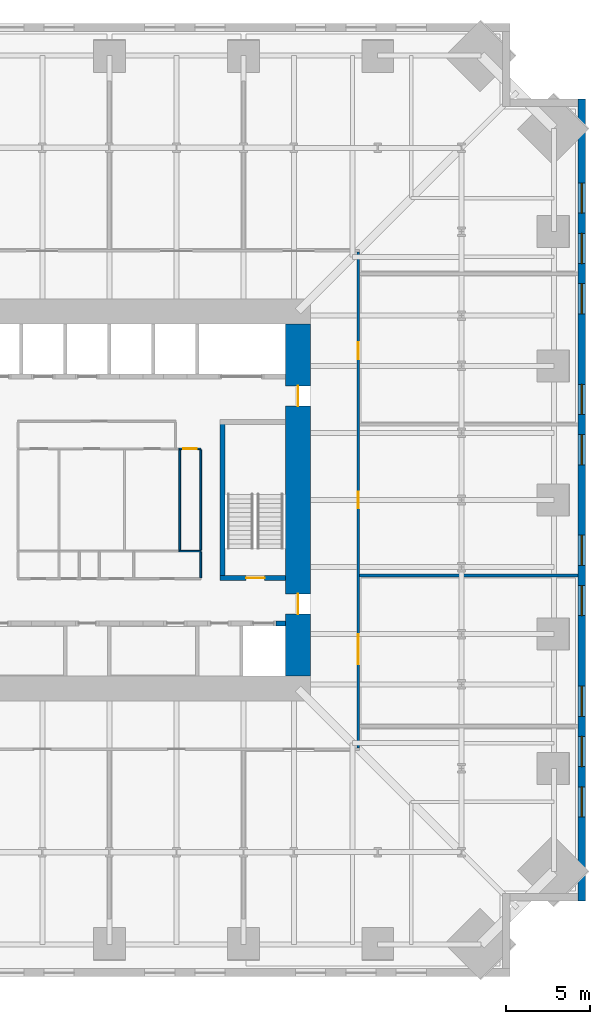
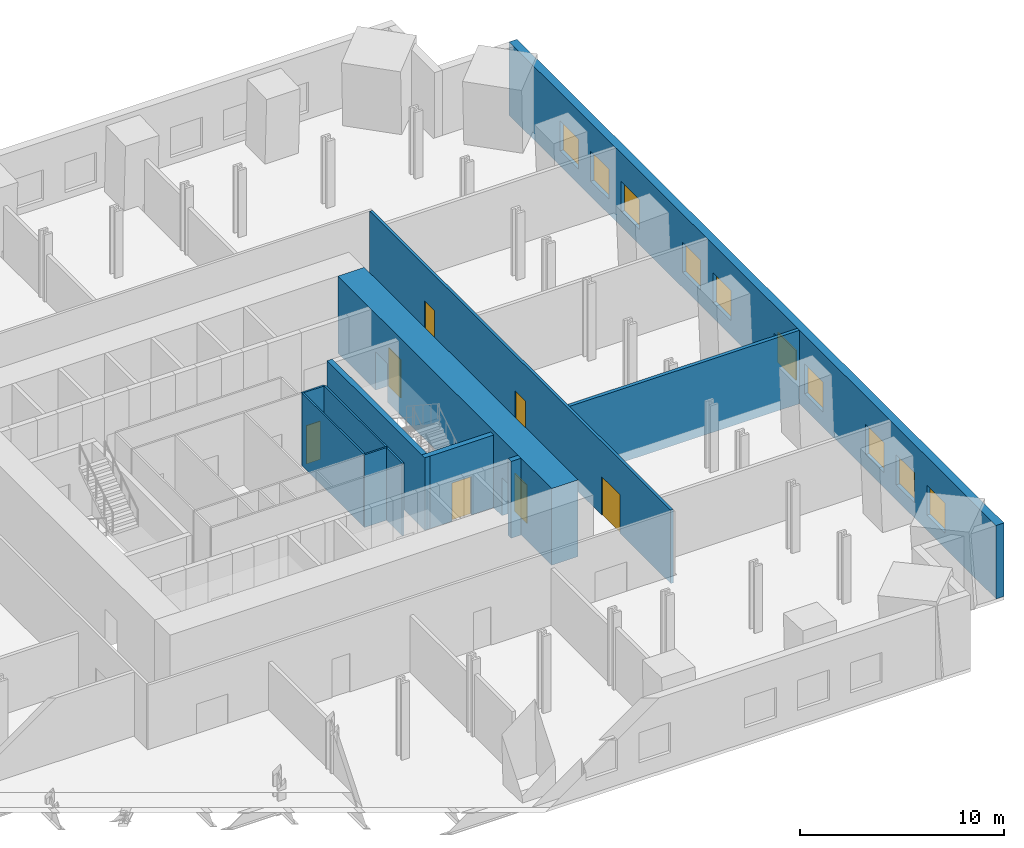
# One storey, part 5 of 8: 12 walls, 10 windows, 7 doors, 17 openings.
"""IFC4 building model written with IfcOpenShell, lengths in metres."""

from ifc_helpers import new_model, si_unit, direction, frame, frame_2d, origin, place, context, subcontext, project, spatial, rectangle, extrude, material, layer, layer_set, type_object, element, fill, save


model = new_model("IFC4")

# Units and contexts
model_context = context("Model", 3, precision=1e-05, world=origin(), true_north=direction((0.0, 1.0)))
body_context = subcontext(model_context, "Body", "Model", "MODEL_VIEW")
ifc_project = project(units=[si_unit("LENGTHUNIT", "METRE"), si_unit("AREAUNIT", "SQUARE_METRE"), si_unit("VOLUMEUNIT", "CUBIC_METRE"), si_unit("PLANEANGLEUNIT", "RADIAN"), si_unit("MASSUNIT", "GRAM", prefix="KILO")], contexts=[model_context])

# Site, building, storey
site_placement = place(None, origin())
site = spatial("IfcSite", under=ifc_project, at=site_placement, CompositionType="ELEMENT")
building_placement = place(site_placement, origin())
building = spatial("IfcBuilding", under=site, at=building_placement, Name="Peilmerk Tower", CompositionType="ELEMENT")
storey_placement = place(building_placement, frame((0.0, 0.0, 109.0)))
storey = spatial("IfcBuildingStorey", under=building, at=storey_placement, Name="L21", CompositionType="ELEMENT", Elevation=109.0)

# Wall, openings, windows
ifc_material_1 = material(Name="Precast concrete C45/55, board-marked finish", Category="concrete")
ifc_layer_1 = layer(ifc_material_1, 0.449951171875)
ifc_layer_set_1 = layer_set([ifc_layer_1], Name="Precast concrete C45/55, board-marked finish")
wall_type_1 = type_object("IfcWallType", Name="EW1 450 precast concrete facade wall, board-marked", PredefinedType="SOLIDWALL", material=ifc_layer_set_1)
wall_1_placement = place(storey_placement, frame((28.175048828125, -23.89990234375, 0.0), z_axis=(0.0, 0.0, 1.0), x_axis=(0.0, 1.0, 0.0)))
wall_1 = element("IfcWall", 1, at=wall_1_placement, inside=storey, type_object=wall_type_1, Name="Facade wall E L21", PredefinedType="SOLIDWALL", context=body_context, shape_type="SweptSolid", body=[
    extrude(rectangle(XDim=47.7998046875, YDim=0.449951171875, at=frame_2d((23.89990234375, 0.0))), origin(), (0.0, 0.0, 1.0), 4.39990234375),
])
opening_1_placement = place(wall_1_placement, frame((5.0, 0.0, 0.89990234375)))
opening_1 = element("IfcOpeningElement", 2, at=opening_1_placement, cuts=wall_1, Name="Opening W3", PredefinedType="OPENING", context=body_context, shape_type="SweptSolid", body=[
    extrude(rectangle(XDim=1.800048828125, YDim=1.800048828125, at=frame_2d((0.89990234375, 0.89990234375))), frame((0.0, 0.23486328125, 0.0), z_axis=(0.0, -1.0, 0.0), x_axis=(1.0, 0.0, 0.0)), (0.0, 0.0, 1.0), 0.469970703125),
])
opening_2_placement = place(wall_1_placement, frame((8.0, 0.0, 0.89990234375)))
opening_2 = element("IfcOpeningElement", 3, at=opening_2_placement, cuts=wall_1, Name="Opening W3", PredefinedType="OPENING", context=body_context, shape_type="SweptSolid", body=[
    extrude(rectangle(XDim=1.800048828125, YDim=1.800048828125, at=frame_2d((0.89990234375, 0.89990234375))), frame((0.0, 0.23486328125, 0.0), z_axis=(0.0, -1.0, 0.0), x_axis=(1.0, 0.0, 0.0)), (0.0, 0.0, 1.0), 0.469970703125),
])
opening_3_placement = place(wall_1_placement, frame((11.0, 0.0, 0.89990234375)))
opening_3 = element("IfcOpeningElement", 4, at=opening_3_placement, cuts=wall_1, Name="Opening W3", PredefinedType="OPENING", context=body_context, shape_type="SweptSolid", body=[
    extrude(rectangle(XDim=1.800048828125, YDim=1.800048828125, at=frame_2d((0.89990234375, 0.89990234375))), frame((0.0, 0.23486328125, 0.0), z_axis=(0.0, -1.0, 0.0), x_axis=(1.0, 0.0, 0.0)), (0.0, 0.0, 1.0), 0.469970703125),
])
opening_4_placement = place(wall_1_placement, frame((17.0, 0.0, 0.89990234375)))
opening_4 = element("IfcOpeningElement", 5, at=opening_4_placement, cuts=wall_1, Name="Opening W3", PredefinedType="OPENING", context=body_context, shape_type="SweptSolid", body=[
    extrude(rectangle(XDim=1.800048828125, YDim=1.800048828125, at=frame_2d((0.89990234375, 0.89990234375))), frame((0.0, 0.23486328125, 0.0), z_axis=(0.0, -1.0, 0.0), x_axis=(1.0, 0.0, 0.0)), (0.0, 0.0, 1.0), 0.469970703125),
])
opening_5_placement = place(wall_1_placement, frame((20.0, 0.0, 0.89990234375)))
opening_5 = element("IfcOpeningElement", 6, at=opening_5_placement, cuts=wall_1, Name="Opening W3", PredefinedType="OPENING", context=body_context, shape_type="SweptSolid", body=[
    extrude(rectangle(XDim=1.800048828125, YDim=1.800048828125, at=frame_2d((0.89990234375, 0.89990234375))), frame((0.0, 0.23486328125, 0.0), z_axis=(0.0, -1.0, 0.0), x_axis=(1.0, 0.0, 0.0)), (0.0, 0.0, 1.0), 0.469970703125),
])
opening_6_placement = place(wall_1_placement, frame((26.0, 0.0, 0.89990234375)))
opening_6 = element("IfcOpeningElement", 7, at=opening_6_placement, cuts=wall_1, Name="Opening W3", PredefinedType="OPENING", context=body_context, shape_type="SweptSolid", body=[
    extrude(rectangle(XDim=1.800048828125, YDim=1.800048828125, at=frame_2d((0.89990234375, 0.89990234375))), frame((0.0, 0.23486328125, 0.0), z_axis=(0.0, -1.0, 0.0), x_axis=(1.0, 0.0, 0.0)), (0.0, 0.0, 1.0), 0.469970703125),
])
opening_7_placement = place(wall_1_placement, frame((29.0, 0.0, 0.89990234375)))
opening_7 = element("IfcOpeningElement", 8, at=opening_7_placement, cuts=wall_1, Name="Opening W3", PredefinedType="OPENING", context=body_context, shape_type="SweptSolid", body=[
    extrude(rectangle(XDim=1.800048828125, YDim=1.800048828125, at=frame_2d((0.89990234375, 0.89990234375))), frame((0.0, 0.23486328125, 0.0), z_axis=(0.0, -1.0, 0.0), x_axis=(1.0, 0.0, 0.0)), (0.0, 0.0, 1.0), 0.469970703125),
])
opening_8_placement = place(wall_1_placement, frame((35.0, 0.0, 0.89990234375)))
opening_8 = element("IfcOpeningElement", 9, at=opening_8_placement, cuts=wall_1, Name="Opening W3", PredefinedType="OPENING", context=body_context, shape_type="SweptSolid", body=[
    extrude(rectangle(XDim=1.800048828125, YDim=1.800048828125, at=frame_2d((0.89990234375, 0.89990234375))), frame((0.0, 0.23486328125, 0.0), z_axis=(0.0, -1.0, 0.0), x_axis=(1.0, 0.0, 0.0)), (0.0, 0.0, 1.0), 0.469970703125),
])
opening_9_placement = place(wall_1_placement, frame((38.0, 0.0, 0.89990234375)))
opening_9 = element("IfcOpeningElement", 10, at=opening_9_placement, cuts=wall_1, Name="Opening W3", PredefinedType="OPENING", context=body_context, shape_type="SweptSolid", body=[
    extrude(rectangle(XDim=1.800048828125, YDim=1.800048828125, at=frame_2d((0.89990234375, 0.89990234375))), frame((0.0, 0.23486328125, 0.0), z_axis=(0.0, -1.0, 0.0), x_axis=(1.0, 0.0, 0.0)), (0.0, 0.0, 1.0), 0.469970703125),
])
opening_10_placement = place(wall_1_placement, frame((41.0, 0.0, 0.89990234375)))
opening_10 = element("IfcOpeningElement", 11, at=opening_10_placement, cuts=wall_1, Name="Opening W3", PredefinedType="OPENING", context=body_context, shape_type="SweptSolid", body=[
    extrude(rectangle(XDim=1.800048828125, YDim=1.800048828125, at=frame_2d((0.89990234375, 0.89990234375))), frame((0.0, 0.23486328125, 0.0), z_axis=(0.0, -1.0, 0.0), x_axis=(1.0, 0.0, 0.0)), (0.0, 0.0, 1.0), 0.469970703125),
])
ifc_material_2 = material(Name="Aluminium frame, clear double glazing", Category="aluminium")
window_type = type_object("IfcWindowType", Name="W3 1800x1800 telecom floor window", PartitioningType="SINGLE_PANEL", PredefinedType="WINDOW", material=ifc_material_2)
window_1_placement = place(opening_1_placement, origin())
window_1 = element("IfcWindow", 12, at=window_1_placement, inside=storey, type_object=window_type, Name="Window W3 L21", OverallHeight=1.800048828125, OverallWidth=1.800048828125, PartitioningType="SINGLE_PANEL", PredefinedType="WINDOW", context=body_context, shape_type="SweptSolid", body=[
    extrude(rectangle(XDim=1.800048828125, YDim=1.800048828125, at=frame_2d((0.89990234375, 0.89990234375))), frame((0.0, 0.030029296875, 0.0), z_axis=(0.0, -1.0, 0.0), x_axis=(1.0, 0.0, 0.0)), (0.0, 0.0, 1.0), 0.06005859375),
])
fill(opening_1, window_1)
window_2_placement = place(opening_2_placement, origin())
window_2 = element("IfcWindow", 13, at=window_2_placement, inside=storey, type_object=window_type, Name="Window W3 L21", OverallHeight=1.800048828125, OverallWidth=1.800048828125, PartitioningType="SINGLE_PANEL", PredefinedType="WINDOW", context=body_context, shape_type="SweptSolid", body=[
    extrude(rectangle(XDim=1.800048828125, YDim=1.800048828125, at=frame_2d((0.89990234375, 0.89990234375))), frame((0.0, 0.030029296875, 0.0), z_axis=(0.0, -1.0, 0.0), x_axis=(1.0, 0.0, 0.0)), (0.0, 0.0, 1.0), 0.06005859375),
])
fill(opening_2, window_2)
window_3_placement = place(opening_3_placement, origin())
window_3 = element("IfcWindow", 14, at=window_3_placement, inside=storey, type_object=window_type, Name="Window W3 L21", OverallHeight=1.800048828125, OverallWidth=1.800048828125, PartitioningType="SINGLE_PANEL", PredefinedType="WINDOW", context=body_context, shape_type="SweptSolid", body=[
    extrude(rectangle(XDim=1.800048828125, YDim=1.800048828125, at=frame_2d((0.89990234375, 0.89990234375))), frame((0.0, 0.030029296875, 0.0), z_axis=(0.0, -1.0, 0.0), x_axis=(1.0, 0.0, 0.0)), (0.0, 0.0, 1.0), 0.06005859375),
])
fill(opening_3, window_3)
window_4_placement = place(opening_4_placement, origin())
window_4 = element("IfcWindow", 15, at=window_4_placement, inside=storey, type_object=window_type, Name="Window W3 L21", OverallHeight=1.800048828125, OverallWidth=1.800048828125, PartitioningType="SINGLE_PANEL", PredefinedType="WINDOW", context=body_context, shape_type="SweptSolid", body=[
    extrude(rectangle(XDim=1.800048828125, YDim=1.800048828125, at=frame_2d((0.89990234375, 0.89990234375))), frame((0.0, 0.030029296875, 0.0), z_axis=(0.0, -1.0, 0.0), x_axis=(1.0, 0.0, 0.0)), (0.0, 0.0, 1.0), 0.06005859375),
])
fill(opening_4, window_4)
window_5_placement = place(opening_5_placement, origin())
window_5 = element("IfcWindow", 16, at=window_5_placement, inside=storey, type_object=window_type, Name="Window W3 L21", OverallHeight=1.800048828125, OverallWidth=1.800048828125, PartitioningType="SINGLE_PANEL", PredefinedType="WINDOW", context=body_context, shape_type="SweptSolid", body=[
    extrude(rectangle(XDim=1.800048828125, YDim=1.800048828125, at=frame_2d((0.89990234375, 0.89990234375))), frame((0.0, 0.030029296875, 0.0), z_axis=(0.0, -1.0, 0.0), x_axis=(1.0, 0.0, 0.0)), (0.0, 0.0, 1.0), 0.06005859375),
])
fill(opening_5, window_5)
window_6_placement = place(opening_6_placement, origin())
window_6 = element("IfcWindow", 17, at=window_6_placement, inside=storey, type_object=window_type, Name="Window W3 L21", OverallHeight=1.800048828125, OverallWidth=1.800048828125, PartitioningType="SINGLE_PANEL", PredefinedType="WINDOW", context=body_context, shape_type="SweptSolid", body=[
    extrude(rectangle(XDim=1.800048828125, YDim=1.800048828125, at=frame_2d((0.89990234375, 0.89990234375))), frame((0.0, 0.030029296875, 0.0), z_axis=(0.0, -1.0, 0.0), x_axis=(1.0, 0.0, 0.0)), (0.0, 0.0, 1.0), 0.06005859375),
])
fill(opening_6, window_6)
window_7_placement = place(opening_7_placement, origin())
window_7 = element("IfcWindow", 18, at=window_7_placement, inside=storey, type_object=window_type, Name="Window W3 L21", OverallHeight=1.800048828125, OverallWidth=1.800048828125, PartitioningType="SINGLE_PANEL", PredefinedType="WINDOW", context=body_context, shape_type="SweptSolid", body=[
    extrude(rectangle(XDim=1.800048828125, YDim=1.800048828125, at=frame_2d((0.89990234375, 0.89990234375))), frame((0.0, 0.030029296875, 0.0), z_axis=(0.0, -1.0, 0.0), x_axis=(1.0, 0.0, 0.0)), (0.0, 0.0, 1.0), 0.06005859375),
])
fill(opening_7, window_7)
window_8_placement = place(opening_8_placement, origin())
window_8 = element("IfcWindow", 19, at=window_8_placement, inside=storey, type_object=window_type, Name="Window W3 L21", OverallHeight=1.800048828125, OverallWidth=1.800048828125, PartitioningType="SINGLE_PANEL", PredefinedType="WINDOW", context=body_context, shape_type="SweptSolid", body=[
    extrude(rectangle(XDim=1.800048828125, YDim=1.800048828125, at=frame_2d((0.89990234375, 0.89990234375))), frame((0.0, 0.030029296875, 0.0), z_axis=(0.0, -1.0, 0.0), x_axis=(1.0, 0.0, 0.0)), (0.0, 0.0, 1.0), 0.06005859375),
])
fill(opening_8, window_8)
window_9_placement = place(opening_9_placement, origin())
window_9 = element("IfcWindow", 20, at=window_9_placement, inside=storey, type_object=window_type, Name="Window W3 L21", OverallHeight=1.800048828125, OverallWidth=1.800048828125, PartitioningType="SINGLE_PANEL", PredefinedType="WINDOW", context=body_context, shape_type="SweptSolid", body=[
    extrude(rectangle(XDim=1.800048828125, YDim=1.800048828125, at=frame_2d((0.89990234375, 0.89990234375))), frame((0.0, 0.030029296875, 0.0), z_axis=(0.0, -1.0, 0.0), x_axis=(1.0, 0.0, 0.0)), (0.0, 0.0, 1.0), 0.06005859375),
])
fill(opening_9, window_9)
window_10_placement = place(opening_10_placement, origin())
window_10 = element("IfcWindow", 21, at=window_10_placement, inside=storey, type_object=window_type, Name="Window W3 L21", OverallHeight=1.800048828125, OverallWidth=1.800048828125, PartitioningType="SINGLE_PANEL", PredefinedType="WINDOW", context=body_context, shape_type="SweptSolid", body=[
    extrude(rectangle(XDim=1.800048828125, YDim=1.800048828125, at=frame_2d((0.89990234375, 0.89990234375))), frame((0.0, 0.030029296875, 0.0), z_axis=(0.0, -1.0, 0.0), x_axis=(1.0, 0.0, 0.0)), (0.0, 0.0, 1.0), 0.06005859375),
])
fill(opening_10, window_10)

# Wall, openings, doors
ifc_material_3 = material(Name="Calcium silicate block", Category="masonry")
ifc_layer_2 = layer(ifc_material_3, 0.14990234375)
ifc_layer_set_2 = layer_set([ifc_layer_2], Name="Calcium silicate block")
wall_type_2 = type_object("IfcWallType", Name="IW1 150 corridor partition, EI 60", PredefinedType="PARTITIONING", material=ifc_layer_set_2)
wall_2_placement = place(storey_placement, frame((14.85009765625, -14.77490234375, 0.0), z_axis=(0.0, 0.0, 1.0), x_axis=(0.0, 1.0, 0.0)))
wall_2 = element("IfcWall", 22, at=wall_2_placement, inside=storey, type_object=wall_type_2, Name="Corridor wall E L21", PredefinedType="PARTITIONING", context=body_context, shape_type="SweptSolid", body=[
    extrude(rectangle(XDim=29.5498046875, YDim=0.14990234375, at=frame_2d((14.77490234375, 0.0))), origin(), (0.0, 0.0, 1.0), 4.39990234375),
])
opening_11_placement = place(wall_2_placement, frame((4.97509765625, 0.0, 0.0)))
opening_11 = element("IfcOpeningElement", 23, at=opening_11_placement, cuts=wall_2, Name="Opening D2", PredefinedType="OPENING", context=body_context, shape_type="SweptSolid", body=[
    extrude(rectangle(XDim=1.800048828125, YDim=2.300048828125, at=frame_2d((0.89990234375, 1.14990234375))), frame((0.0, 0.0849609375, 0.0), z_axis=(0.0, -1.0, 0.0), x_axis=(1.0, 0.0, 0.0)), (0.0, 0.0, 1.0), 0.169921875),
])
opening_12_placement = place(wall_2_placement, frame((14.27490234375, 0.0, 0.0)))
opening_12 = element("IfcOpeningElement", 24, at=opening_12_placement, cuts=wall_2, Name="Opening D1", PredefinedType="OPENING", context=body_context, shape_type="SweptSolid", body=[
    extrude(rectangle(XDim=1.0, YDim=2.300048828125, at=frame_2d((0.5, 1.14990234375))), frame((0.0, 0.0849609375, 0.0), z_axis=(0.0, -1.0, 0.0), x_axis=(1.0, 0.0, 0.0)), (0.0, 0.0, 1.0), 0.169921875),
])
opening_13_placement = place(wall_2_placement, frame((23.175048828125, 0.0, 0.0)))
opening_13 = element("IfcOpeningElement", 25, at=opening_13_placement, cuts=wall_2, Name="Opening D1", PredefinedType="OPENING", context=body_context, shape_type="SweptSolid", body=[
    extrude(rectangle(XDim=1.0, YDim=2.300048828125, at=frame_2d((0.5, 1.14990234375))), frame((0.0, 0.0849609375, 0.0), z_axis=(0.0, -1.0, 0.0), x_axis=(1.0, 0.0, 0.0)), (0.0, 0.0, 1.0), 0.169921875),
])
ifc_material_4 = material(Name="Timber door in steel frame", Category="steel")
door_type_1 = type_object("IfcDoorType", Name="D1 1000x2300 room door, EI2 30", OperationType="SINGLE_SWING_LEFT", PredefinedType="DOOR", material=ifc_material_4)
door_1_placement = place(opening_12_placement, frame((1.0, 0.0, 0.0), z_axis=(0.0, 0.0, 1.0), x_axis=(-1.0, 0.0, 0.0)))
door_1 = element("IfcDoor", 26, at=door_1_placement, inside=storey, type_object=door_type_1, Name="Door Splicing room L21", OperationType="SINGLE_SWING_LEFT", OverallHeight=2.300048828125, OverallWidth=1.0, PredefinedType="DOOR", context=body_context, shape_type="SweptSolid", body=[
    extrude(rectangle(XDim=1.0, YDim=2.300048828125, at=frame_2d((0.5, 1.14990234375))), frame((0.0, 0.02490234375, 0.0), z_axis=(0.0, -1.0, 0.0), x_axis=(1.0, 0.0, 0.0)), (0.0, 0.0, 1.0), 0.050048828125),
])
fill(opening_12, door_1)
door_2_placement = place(opening_13_placement, frame((1.0, 0.0, 0.0), z_axis=(0.0, 0.0, 1.0), x_axis=(-1.0, 0.0, 0.0)))
door_2 = element("IfcDoor", 27, at=door_2_placement, inside=storey, type_object=door_type_1, Name="Door Test room L21", OperationType="SINGLE_SWING_LEFT", OverallHeight=2.300048828125, OverallWidth=1.0, PredefinedType="DOOR", context=body_context, shape_type="SweptSolid", body=[
    extrude(rectangle(XDim=1.0, YDim=2.300048828125, at=frame_2d((0.5, 1.14990234375))), frame((0.0, 0.02490234375, 0.0), z_axis=(0.0, -1.0, 0.0), x_axis=(1.0, 0.0, 0.0)), (0.0, 0.0, 1.0), 0.050048828125),
])
fill(opening_13, door_2)
ifc_material_5 = material(Name="Steel door in steel frame", Category="steel")
door_type_2 = type_object("IfcDoorType", Name="D2 1800x2300 double door, EI2 60", OperationType="DOUBLE_DOOR_DOUBLE_SWING", PredefinedType="DOOR", material=ifc_material_5)
door_3_placement = place(opening_11_placement, frame((1.800048828125, 0.0, 0.0), z_axis=(0.0, 0.0, 1.0), x_axis=(-1.0, 0.0, 0.0)))
door_3 = element("IfcDoor", 28, at=door_3_placement, inside=storey, type_object=door_type_2, Name="Door Carrier room L21", OperationType="DOUBLE_DOOR_DOUBLE_SWING", OverallHeight=2.300048828125, OverallWidth=1.800048828125, PredefinedType="DOOR", context=body_context, shape_type="SweptSolid", body=[
    extrude(rectangle(XDim=1.800048828125, YDim=2.300048828125, at=frame_2d((0.89990234375, 1.14990234375))), frame((0.0, 0.02490234375, 0.0), z_axis=(0.0, -1.0, 0.0), x_axis=(1.0, 0.0, 0.0)), (0.0, 0.0, 1.0), 0.050048828125),
])
fill(opening_11, door_3)

# Walls
ifc_layer_3 = layer(ifc_material_3, 0.199951171875)
ifc_layer_set_3 = layer_set([ifc_layer_3], Name="Calcium silicate block")
wall_type_3 = type_object("IfcWallType", Name="IW2 200 room separating wall, EI 120", PredefinedType="PARTITIONING", material=ifc_layer_set_3)
wall_3_placement = place(storey_placement, frame((14.925048828125, -4.5, 0.0), z_axis=(0.0, 0.0, 1.0), x_axis=(1.0, 0.0, 0.0)))
element("IfcWall", 29, at=wall_3_placement, inside=storey, type_object=wall_type_3, Name="Room separating wall E1 L21", PredefinedType="PARTITIONING", context=body_context, shape_type="SweptSolid", body=[
    extrude(rectangle(XDim=13.02490234375, YDim=0.199951171875, at=frame_2d((6.512451171875, 0.0))), origin(), (0.0, 0.0, 1.0), 4.39990234375),
])
ifc_material_6 = material(Name="Concrete C35/45", Category="concrete")
ifc_layer_4 = layer(ifc_material_6, 0.300048828125)
ifc_layer_set_4 = layer_set([ifc_layer_4], Name="Concrete C35/45")
wall_type_4 = type_object("IfcWallType", Name="IW3 300 concrete stair enclosure wall, EI 120", PredefinedType="SOLIDWALL", material=ifc_layer_set_4)
wall_4_placement = place(storey_placement, frame((6.75, -4.800048828125, 0.0), z_axis=(0.0, 0.0, 1.0), x_axis=(0.0, 1.0, 0.0)))
element("IfcWall", 30, at=wall_4_placement, inside=storey, type_object=wall_type_4, Name="Stair 2 enclosure L21", PredefinedType="SOLIDWALL", context=body_context, shape_type="SweptSolid", body=[
    extrude(rectangle(XDim=9.60009765625, YDim=0.300048828125, at=frame_2d((4.800048828125, 0.0))), origin(), (0.0, 0.0, 1.0), 4.35009765625),
])

# Wall, opening, door
wall_5_placement = place(storey_placement, frame((10.5, -4.64990234375, 0.0), z_axis=(0.0, 0.0, 1.0), x_axis=(-1.0, 0.0, 0.0)))
wall_5 = element("IfcWall", 31, at=wall_5_placement, inside=storey, type_object=wall_type_4, Name="Stair 2 enclosure L21", PredefinedType="SOLIDWALL", context=body_context, shape_type="SweptSolid", body=[
    extrude(rectangle(XDim=3.89990234375, YDim=0.300048828125, at=frame_2d((1.949951171875, 0.0))), origin(), (0.0, 0.0, 1.0), 4.35009765625),
])
opening_14_placement = place(wall_5_placement, frame((1.25, 0.0, 0.0)))
opening_14 = element("IfcOpeningElement", 32, at=opening_14_placement, cuts=wall_5, Name="Opening D4", PredefinedType="OPENING", context=body_context, shape_type="SweptSolid", body=[
    extrude(rectangle(XDim=1.10009765625, YDim=2.300048828125, at=frame_2d((0.550048828125, 1.14990234375))), frame((0.0, 0.159912109375, 0.0), z_axis=(0.0, -1.0, 0.0), x_axis=(1.0, 0.0, 0.0)), (0.0, 0.0, 1.0), 0.320068359375),
])
door_type_3 = type_object("IfcDoorType", Name="D4 1100x2300 stair door, EI2 60", OperationType="SINGLE_SWING_RIGHT", PredefinedType="DOOR", material=ifc_material_5)
door_4_placement = place(opening_14_placement, frame((1.10009765625, 0.0, 0.0), z_axis=(0.0, 0.0, 1.0), x_axis=(-1.0, 0.0, 0.0)))
door_4 = element("IfcDoor", 33, at=door_4_placement, inside=storey, type_object=door_type_3, Name="Stair 2 door L21", OperationType="SINGLE_SWING_RIGHT", OverallHeight=2.300048828125, OverallWidth=1.10009765625, PredefinedType="DOOR", context=body_context, shape_type="SweptSolid", body=[
    extrude(rectangle(XDim=1.10009765625, YDim=2.300048828125, at=frame_2d((0.550048828125, 1.14990234375))), frame((0.0, 0.02490234375, 0.0), z_axis=(0.0, -1.0, 0.0), x_axis=(1.0, 0.0, 0.0)), (0.0, 0.0, 1.0), 0.050048828125),
])
fill(opening_14, door_4)

ifc_material_7 = material(Name="Calcium silicate board on steel studs", Category="steel")
ifc_layer_5 = layer(ifc_material_7, 0.10009765625)
ifc_layer_set_5 = layer_set([ifc_layer_5], Name="Calcium silicate board on steel studs")
wall_type_5 = type_object("IfcWallType", Name="IW5 100 riser enclosure wall, EI 60", PredefinedType="PARTITIONING", material=ifc_layer_set_5)
wall_6_placement = place(storey_placement, frame((4.14990234375, 3.050048828125, 0.0), z_axis=(0.0, 0.0, 1.0), x_axis=(1.0, 0.0, 0.0)))
wall_6 = element("IfcWall", 34, at=wall_6_placement, inside=storey, type_object=wall_type_5, Name="Riser wall L21", PredefinedType="PARTITIONING", context=body_context, shape_type="SweptSolid", body=[
    extrude(rectangle(XDim=1.300048828125, YDim=0.10009765625, at=frame_2d((0.64990234375, 0.0))), origin(), (0.0, 0.0, 1.0), 4.35009765625),
])
opening_15_placement = place(wall_6_placement, frame((0.25, 0.0, 0.0)))
opening_15 = element("IfcOpeningElement", 35, at=opening_15_placement, cuts=wall_6, Name="Opening D7", PredefinedType="OPENING", context=body_context, shape_type="SweptSolid", body=[
    extrude(rectangle(XDim=0.800048828125, YDim=2.300048828125, at=frame_2d((0.39990234375, 1.14990234375))), frame((0.0, 0.06005859375, 0.0), z_axis=(0.0, -1.0, 0.0), x_axis=(1.0, 0.0, 0.0)), (0.0, 0.0, 1.0), 0.1201171875),
])
door_type_4 = type_object("IfcDoorType", Name="D7 800x2300 riser access door, EI2 60", OperationType="SINGLE_SWING_RIGHT", PredefinedType="DOOR", material=ifc_material_5)
door_5_placement = place(opening_15_placement, frame((0.800048828125, 0.0, 0.0), z_axis=(0.0, 0.0, 1.0), x_axis=(-1.0, 0.0, 0.0)))
door_5 = element("IfcDoor", 36, at=door_5_placement, inside=storey, type_object=door_type_4, Name="Plumbing riser door L21", OperationType="SINGLE_SWING_RIGHT", OverallHeight=2.300048828125, OverallWidth=0.800048828125, PredefinedType="DOOR", context=body_context, shape_type="SweptSolid", body=[
    extrude(rectangle(XDim=0.800048828125, YDim=2.300048828125, at=frame_2d((0.39990234375, 1.14990234375))), frame((0.0, 0.02490234375, 0.0), z_axis=(0.0, -1.0, 0.0), x_axis=(1.0, 0.0, 0.0)), (0.0, 0.0, 1.0), 0.050048828125),
])
fill(opening_15, door_5)

# Walls
wall_7_placement = place(storey_placement, frame((5.449951171875, -3.050048828125, 0.0), z_axis=(0.0, 0.0, 1.0), x_axis=(-1.0, 0.0, 0.0)))
element("IfcWall", 37, at=wall_7_placement, inside=storey, type_object=wall_type_5, Name="Riser wall L21", PredefinedType="PARTITIONING", context=body_context, shape_type="SweptSolid", body=[
    extrude(rectangle(XDim=1.300048828125, YDim=0.10009765625, at=frame_2d((0.64990234375, 0.0))), origin(), (0.0, 0.0, 1.0), 4.35009765625),
])
for number, where, z_axis, x_axis, name in (
    (38, (5.449951171875, 3.0, 0.0), (0.0, 0.0, 1.0), (0.0, -1.0, 0.0), "Riser wall L21"),
    (39, (4.199951171875, -3.0, 0.0), (0.0, 0.0, 1.0), (0.0, 1.0, 0.0), "Riser wall L21"),
):
    element("IfcWall", number, at=place(storey_placement, frame(where, z_axis=z_axis, x_axis=x_axis)), inside=storey, type_object=wall_type_5, Name=name, PredefinedType="PARTITIONING", context=body_context, shape_type="SweptSolid", body=[
        extrude(rectangle(XDim=6.0, YDim=0.10009765625, at=frame_2d((3.0, 0.0))), origin(), (0.0, 0.0, 1.0), 4.35009765625),
    ])
wall_8_placement = place(storey_placement, frame((5.449951171875, -3.10009765625, 0.0), z_axis=(0.0, 0.0, 1.0), x_axis=(0.0, -1.0, 0.0)))
element("IfcWall", 40, at=wall_8_placement, inside=storey, type_object=wall_type_5, Name="Riser wall L21", PredefinedType="PARTITIONING", context=body_context, shape_type="SweptSolid", body=[
    extrude(rectangle(XDim=1.5498046875, YDim=0.10009765625, at=frame_2d((0.77490234375, 0.0))), origin(), (0.0, 0.0, 1.0), 4.35009765625),
])

# Wall, openings, doors
ifc_material_8 = material(Name="Concrete C55/67", Category="concrete")
ifc_layer_6 = layer(ifc_material_8, 1.5)
ifc_layer_set_6 = layer_set([ifc_layer_6], Name="Concrete C55/67")
wall_type_6 = type_object("IfcWallType", Name="SW1 1500 core wall", PredefinedType="SHEAR", material=ifc_layer_set_6)
wall_9_placement = place(storey_placement, frame((11.25, 10.5, 0.0), z_axis=(0.0, 0.0, 1.0), x_axis=(0.0, -1.0, 0.0)))
wall_9 = element("IfcWall", 41, at=wall_9_placement, inside=storey, type_object=wall_type_6, Name="Core wall E L21", PredefinedType="SHEAR", context=body_context, shape_type="SweptSolid", body=[
    extrude(rectangle(XDim=21.0, YDim=1.5, at=frame_2d((10.5, 0.0))), origin(), (0.0, 0.0, 1.0), 4.60009765625),
])
opening_16_placement = place(wall_9_placement, frame((3.699951171875, 0.0, 0.0)))
opening_16 = element("IfcOpeningElement", 42, at=opening_16_placement, cuts=wall_9, Name="Opening D3", PredefinedType="OPENING", context=body_context, shape_type="SweptSolid", body=[
    extrude(rectangle(XDim=1.199951171875, YDim=2.300048828125, at=frame_2d((0.60009765625, 1.14990234375))), frame((0.0, 0.760009765625, 0.0), z_axis=(0.0, -1.0, 0.0), x_axis=(1.0, 0.0, 0.0)), (0.0, 0.0, 1.0), 1.52001953125),
])
opening_17_placement = place(wall_9_placement, frame((16.10009765625, 0.0, 0.0)))
opening_17 = element("IfcOpeningElement", 43, at=opening_17_placement, cuts=wall_9, Name="Opening D3", PredefinedType="OPENING", context=body_context, shape_type="SweptSolid", body=[
    extrude(rectangle(XDim=1.199951171875, YDim=2.300048828125, at=frame_2d((0.60009765625, 1.14990234375))), frame((0.0, 0.760009765625, 0.0), z_axis=(0.0, -1.0, 0.0), x_axis=(1.0, 0.0, 0.0)), (0.0, 0.0, 1.0), 1.52001953125),
])
door_type_5 = type_object("IfcDoorType", Name="D3 1200x2300 core door, EI2 60", OperationType="SINGLE_SWING_LEFT", PredefinedType="DOOR", material=ifc_material_5)
door_6_placement = place(opening_16_placement, frame((1.199951171875, 0.0, 0.0), z_axis=(0.0, 0.0, 1.0), x_axis=(-1.0, 0.0, 0.0)))
door_6 = element("IfcDoor", 44, at=door_6_placement, inside=storey, type_object=door_type_5, Name="Core door L21", OperationType="SINGLE_SWING_LEFT", OverallHeight=2.300048828125, OverallWidth=1.199951171875, PredefinedType="DOOR", context=body_context, shape_type="SweptSolid", body=[
    extrude(rectangle(XDim=1.199951171875, YDim=2.300048828125, at=frame_2d((0.60009765625, 1.14990234375))), frame((0.0, 0.02490234375, 0.0), z_axis=(0.0, -1.0, 0.0), x_axis=(1.0, 0.0, 0.0)), (0.0, 0.0, 1.0), 0.050048828125),
])
fill(opening_16, door_6)
door_7_placement = place(opening_17_placement, frame((1.199951171875, 0.0, 0.0), z_axis=(0.0, 0.0, 1.0), x_axis=(-1.0, 0.0, 0.0)))
door_7 = element("IfcDoor", 45, at=door_7_placement, inside=storey, type_object=door_type_5, Name="Core door L21", OperationType="SINGLE_SWING_LEFT", OverallHeight=2.300048828125, OverallWidth=1.199951171875, PredefinedType="DOOR", context=body_context, shape_type="SweptSolid", body=[
    extrude(rectangle(XDim=1.199951171875, YDim=2.300048828125, at=frame_2d((0.60009765625, 1.14990234375))), frame((0.0, 0.02490234375, 0.0), z_axis=(0.0, -1.0, 0.0), x_axis=(1.0, 0.0, 0.0)), (0.0, 0.0, 1.0), 0.050048828125),
])
fill(opening_17, door_7)

# Wall
ifc_layer_7 = layer(ifc_material_8, 0.300048828125)
ifc_layer_set_7 = layer_set([ifc_layer_7], Name="Concrete C55/67")
wall_type_7 = type_object("IfcWallType", Name="SW2 300 lift bank pier", PredefinedType="SHEAR", material=ifc_layer_set_7)
wall_10_placement = place(storey_placement, frame((9.9375, -7.35009765625, 0.0), z_axis=(0.0, 0.0, 1.0), x_axis=(1.0, 0.0, 0.0)))
element("IfcWall", 46, at=wall_10_placement, inside=storey, type_object=wall_type_7, Name="Lift bank pier S L21", PredefinedType="SHEAR", context=body_context, shape_type="SweptSolid", body=[
    extrude(rectangle(XDim=0.5625, YDim=0.300048828125, at=frame_2d((0.28125, 0.0))), origin(), (0.0, 0.0, 1.0), 4.60009765625),
])

save(model, "model.ifc")
